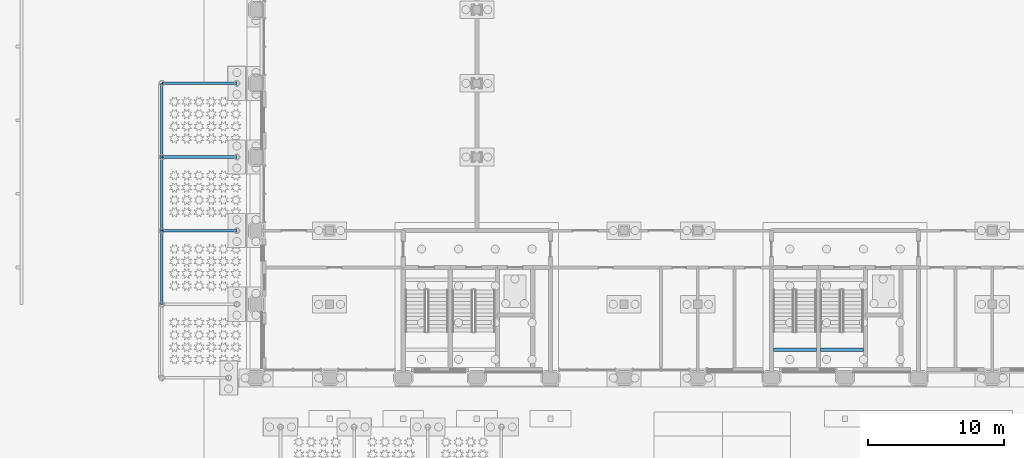
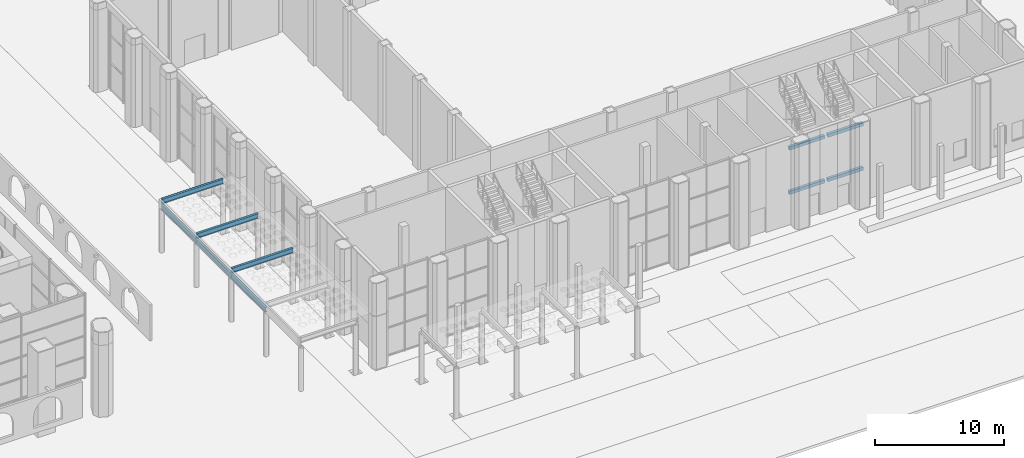
# One storey, part 12 of 54: 10 beams.
"""IFC4 building model written with IfcOpenShell, lengths in metres."""

from ifc_helpers import new_model, si_unit, direction, frame, origin, origin_2d, place, context, subcontext, project, spatial, rectangle, i_section, extrude, material, material_profile, profile_set, type_object, element, save


model = new_model("IFC4")

# Units and contexts
model_context = context("Model", 3, precision=1e-05, world=origin(), true_north=direction((0.0, 1.0)))
body_context = subcontext(model_context, "Body", "Model", "MODEL_VIEW")
ifc_project = project(units=[si_unit("LENGTHUNIT", "METRE"), si_unit("AREAUNIT", "SQUARE_METRE"), si_unit("VOLUMEUNIT", "CUBIC_METRE"), si_unit("PLANEANGLEUNIT", "RADIAN"), si_unit("MASSUNIT", "GRAM", prefix="KILO")], contexts=[model_context])

# Site, building, storey
site_placement = place(None, origin())
site = spatial("IfcSite", under=ifc_project, at=site_placement, CompositionType="ELEMENT")
building_placement = place(site_placement, origin())
building = spatial("IfcBuilding", under=site, at=building_placement, Name="Tabaq Tower and Sports Hall", CompositionType="ELEMENT")
storey_placement = place(building_placement, origin())
storey = spatial("IfcBuildingStorey", under=building, at=storey_placement, Name="L00", CompositionType="ELEMENT", Elevation=0.0)

# Beams
ifc_material_1 = material(Name="Steel S355", Category="steel")
ifc_material_profile_1 = material_profile(ifc_material_1, i_section(OverallWidth=0.1904296875, OverallDepth=0.45703125, WebThickness=0.009033203125, FlangeThickness=0.014404296875, FilletRadius=0.01025390625, at=origin_2d()), Name="UB 457x191x74")
ifc_profile_set_1 = profile_set([ifc_material_profile_1], Name="Steel S355")
beam_type_1 = type_object("IfcBeamType", Name="CANOPY BEAM UB 457x191x74", PredefinedType="BEAM", material=ifc_profile_set_1)
beam_1_placement = place(storey_placement, frame((57.89990234375, 5.39990234375, 4.314453125), z_axis=(0.0, 1.0, 0.0), x_axis=(-1.0, 0.0, 0.0)))
element("IfcBeam", 1, at=beam_1_placement, inside=storey, type_object=beam_type_1, Name="Plaza canopy edge beam PE2", PredefinedType="BEAM", context=body_context, shape_type="SweptSolid", body=[
    extrude(i_section(OverallWidth=0.1904296875, OverallDepth=0.45703125, WebThickness=0.009033203125, FlangeThickness=0.014404296875, FilletRadius=0.01025390625, at=origin_2d()), origin(), (0.0, 0.0, 1.0), 5.400146484375),
])
beam_2_placement = place(storey_placement, frame((57.89990234375, 10.800048828125, 4.771484375), z_axis=(1.0, 0.0, 0.0), x_axis=(0.0, 1.0, 0.0)))
element("IfcBeam", 2, at=beam_2_placement, inside=storey, type_object=beam_type_1, Name="Plaza canopy beam PC3", PredefinedType="BEAM", context=body_context, shape_type="SweptSolid", body=[
    extrude(i_section(OverallWidth=0.1904296875, OverallDepth=0.45703125, WebThickness=0.009033203125, FlangeThickness=0.014404296875, FilletRadius=0.01025390625, at=origin_2d()), origin(), (0.0, 0.0, 1.0), 5.5),
])
beam_3_placement = place(storey_placement, frame((57.89990234375, 10.800048828125, 4.314453125), z_axis=(0.0, 1.0, 0.0), x_axis=(-1.0, 0.0, 0.0)))
element("IfcBeam", 3, at=beam_3_placement, inside=storey, type_object=beam_type_1, Name="Plaza canopy edge beam PE3", PredefinedType="BEAM", context=body_context, shape_type="SweptSolid", body=[
    extrude(i_section(OverallWidth=0.1904296875, OverallDepth=0.45703125, WebThickness=0.009033203125, FlangeThickness=0.014404296875, FilletRadius=0.01025390625, at=origin_2d()), origin(), (0.0, 0.0, 1.0), 5.39990234375),
])
beam_4_placement = place(storey_placement, frame((57.89990234375, 16.199951171875, 4.771484375), z_axis=(1.0, 0.0, 0.0), x_axis=(0.0, 1.0, 0.0)))
element("IfcBeam", 4, at=beam_4_placement, inside=storey, type_object=beam_type_1, Name="Plaza canopy beam PC4", PredefinedType="BEAM", context=body_context, shape_type="SweptSolid", body=[
    extrude(i_section(OverallWidth=0.1904296875, OverallDepth=0.45703125, WebThickness=0.009033203125, FlangeThickness=0.014404296875, FilletRadius=0.01025390625, at=origin_2d()), origin(), (0.0, 0.0, 1.0), 5.5),
])
beam_5_placement = place(storey_placement, frame((57.89990234375, 16.199951171875, 4.314453125), z_axis=(0.0, 1.0, 0.0), x_axis=(-1.0, 0.0, 0.0)))
element("IfcBeam", 5, at=beam_5_placement, inside=storey, type_object=beam_type_1, Name="Plaza canopy edge beam PE4", PredefinedType="BEAM", context=body_context, shape_type="SweptSolid", body=[
    extrude(i_section(OverallWidth=0.1904296875, OverallDepth=0.45703125, WebThickness=0.009033203125, FlangeThickness=0.014404296875, FilletRadius=0.01025390625, at=origin_2d()), origin(), (0.0, 0.0, 1.0), 5.400146484375),
])
beam_6_placement = place(storey_placement, frame((57.89990234375, 21.60009765625, 4.771484375), z_axis=(1.0, 0.0, 0.0), x_axis=(0.0, 1.0, 0.0)))
element("IfcBeam", 6, at=beam_6_placement, inside=storey, type_object=beam_type_1, Name="Plaza canopy beam PC5", PredefinedType="BEAM", context=body_context, shape_type="SweptSolid", body=[
    extrude(i_section(OverallWidth=0.1904296875, OverallDepth=0.45703125, WebThickness=0.009033203125, FlangeThickness=0.014404296875, FilletRadius=0.01025390625, at=origin_2d()), origin(), (0.0, 0.0, 1.0), 5.5),
])
ifc_material_2 = material(Name="Concrete C50/60", Category="concrete")
ifc_material_profile_2 = material_profile(ifc_material_2, rectangle(XDim=0.25, YDim=0.300048828125, at=origin_2d()), Name="RC 250x300")
ifc_profile_set_2 = profile_set([ifc_material_profile_2], Name="Concrete C50/60")
beam_type_2 = type_object("IfcBeamType", Name="HALL STAIR LANDING BEAM 250x300", PredefinedType="BEAM", material=ifc_profile_set_2)
for number, where, z_axis, x_axis, name in (
    (7, (102.75, 2.06005859375, 1.75), (1.0, 0.0, 0.0), (0.0, 1.0, 0.0), "L00 ST-H3 landing beam 1"),
    (8, (102.75, 2.06005859375, 5.949951171875), (1.0, 0.0, 0.0), (0.0, 1.0, 0.0), "L00 ST-H3 landing beam 3"),
):
    element("IfcBeam", number, at=place(storey_placement, frame(where, z_axis=z_axis, x_axis=x_axis)), inside=storey, type_object=beam_type_2, Name=name, PredefinedType="BEAM", context=body_context, shape_type="SweptSolid", body=[
        extrude(rectangle(XDim=0.25, YDim=0.300048828125, at=origin_2d()), origin(), (0.0, 0.0, 1.0), 3.14990234375),
    ])
for number, where, z_axis, x_axis, name in (
    (9, (106.199951171875, 2.06005859375, 1.75), (1.0, 0.0, 0.0), (0.0, 1.0, 0.0), "L00 ST-H4 landing beam 1"),
    (10, (106.199951171875, 2.06005859375, 5.949951171875), (1.0, 0.0, 0.0), (0.0, 1.0, 0.0), "L00 ST-H4 landing beam 3"),
):
    element("IfcBeam", number, at=place(storey_placement, frame(where, z_axis=z_axis, x_axis=x_axis)), inside=storey, type_object=beam_type_2, Name=name, PredefinedType="BEAM", context=body_context, shape_type="SweptSolid", body=[
        extrude(rectangle(XDim=0.25, YDim=0.300048828125, at=origin_2d()), origin(), (0.0, 0.0, 1.0), 3.150146484375),
    ])

save(model, "model.ifc")
